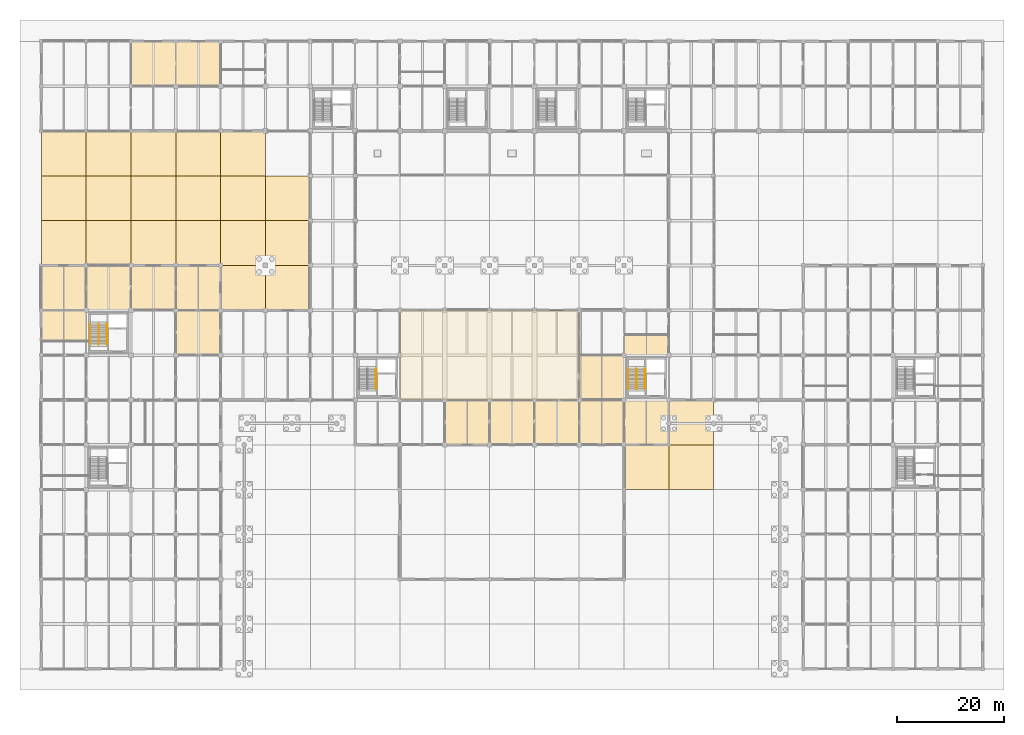
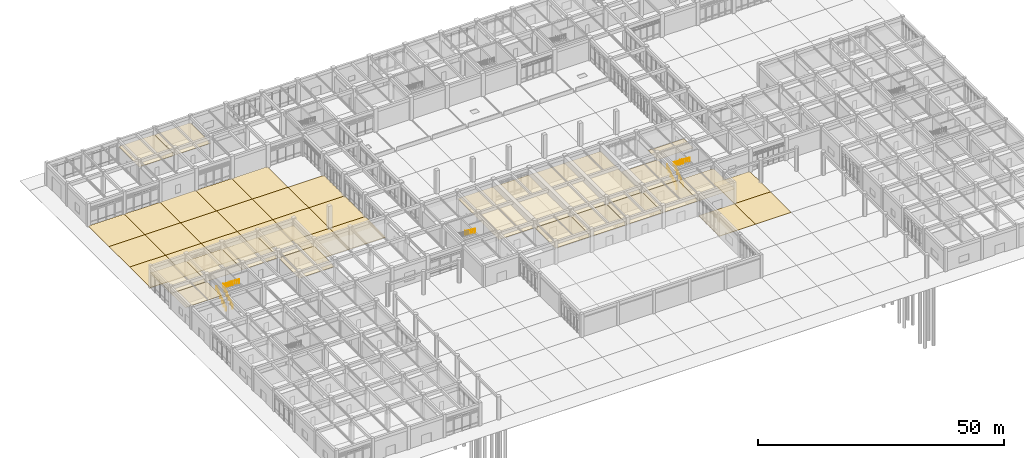
# One storey, part 87 of 91: 38 coverings, 9 railings.
"""IFC4 building model written with IfcOpenShell, lengths in metres."""

from ifc_helpers import new_model, si_unit, direction, frame, origin, origin_2d, place, context, subcontext, project, spatial, polyline, circle, outline, extrude, material, layer, layer_set, type_object, element, save


model = new_model("IFC4")

# Units and contexts
model_context = context("Model", 3, precision=1e-05, world=origin(), true_north=direction((0.0, 1.0)))
body_context = subcontext(model_context, "Body", "Model", "MODEL_VIEW")
ifc_project = project(units=[si_unit("LENGTHUNIT", "METRE"), si_unit("AREAUNIT", "SQUARE_METRE"), si_unit("VOLUMEUNIT", "CUBIC_METRE"), si_unit("PLANEANGLEUNIT", "RADIAN"), si_unit("MASSUNIT", "GRAM", prefix="KILO")], contexts=[model_context])

# Site, building, storey
site_placement = place(None, origin())
site = spatial("IfcSite", under=ifc_project, at=site_placement, CompositionType="ELEMENT")
building_placement = place(site_placement, origin())
building = spatial("IfcBuilding", under=site, at=building_placement, Name="Porcellanite Civic Hall", CompositionType="ELEMENT")
storey_placement = place(building_placement, origin())
storey = spatial("IfcBuildingStorey", under=building, at=storey_placement, Name="L00", CompositionType="ELEMENT", Elevation=0.0)

# Coverings
ifc_material_1 = material(Name="Perforated acoustic mineral-fibre and spotted-gum batten ceiling")
ifc_layer_1 = layer(ifc_material_1, 0.02490234375)
ifc_layer_set_1 = layer_set([ifc_layer_1], Name="Perforated acoustic mineral-fibre and spotted-gum batten ceiling")
covering_type_1 = type_object("IfcCoveringType", Name="COV-CL1", PredefinedType="CEILING", material=ifc_layer_set_1)
covering_1_placement = place(storey_placement, frame((0.0, 0.0, 3.635009765625)))
element("IfcCovering", 1, at=covering_1_placement, inside=storey, type_object=covering_type_1, Name="Acoustic ceiling Citizens Service Centre", PredefinedType="CEILING", context=body_context, shape_type="SweptSolid", body=[
    extrude(outline(polyline([(67.2099609375, 50.409912109375), (100.7900390625, 50.409912109375), (100.7900390625, 67.18994140625), (67.2099609375, 67.18994140625), (67.2099609375, 50.409912109375)])), origin(), (0.0, 0.0, 1.0), 0.02490234375),
])
ifc_material_2 = material(Name="Perforated acoustic mineral-fibre and spotted-gum batten ceiling")
ifc_layer_2 = layer(ifc_material_2, 0.044921875)
ifc_layer_set_2 = layer_set([ifc_layer_2], Name="Perforated acoustic mineral-fibre and spotted-gum batten ceiling")
covering_type_2 = type_object("IfcCoveringType", Name="COV-CL3", PredefinedType="CEILING", material=ifc_layer_set_2)
covering_2_placement = place(storey_placement, frame((0.0, 0.0, 3.614990234375)))
element("IfcCovering", 2, at=covering_2_placement, inside=storey, type_object=covering_type_2, Name="Acoustic ceiling Service Centre Consultation Room L00-A", PredefinedType="CEILING", context=body_context, shape_type="SweptSolid", body=[
    extrude(outline(polyline([(109.2099609375, 58.81005859375), (117.590087890625, 58.81005859375), (117.590087890625, 62.590087890625), (109.2099609375, 62.590087890625), (109.2099609375, 58.81005859375)])), origin(), (0.0, 0.0, 1.0), 0.044921875),
])
covering_3_placement = place(storey_placement, frame((0.0, 0.0, 3.614990234375)))
element("IfcCovering", 3, at=covering_3_placement, inside=storey, type_object=covering_type_2, Name="Acoustic ceiling Public Hearing Room L00-06", PredefinedType="CEILING", context=body_context, shape_type="SweptSolid", body=[
    extrude(outline(polyline([(0.010009765625, 61.387939453125), (8.389892578125, 61.387939453125), (8.389892578125, 67.18994140625), (0.010009765625, 67.18994140625), (0.010009765625, 61.387939453125)])), origin(), (0.0, 0.0, 1.0), 0.044921875),
])
covering_4_placement = place(storey_placement, frame((0.0, 0.0, 3.614990234375)))
element("IfcCovering", 4, at=covering_4_placement, inside=storey, type_object=covering_type_2, Name="Acoustic ceiling Civic Advisory Suite L00-07", PredefinedType="CEILING", context=body_context, shape_type="SweptSolid", body=[
    extrude(outline(polyline([(0.010009765625, 67.2099609375), (8.389892578125, 67.2099609375), (8.389892578125, 75.590087890625), (0.010009765625, 75.590087890625), (0.010009765625, 67.2099609375)])), origin(), (0.0, 0.0, 1.0), 0.044921875),
])
covering_5_placement = place(storey_placement, frame((0.0, 0.0, 3.614990234375)))
element("IfcCovering", 5, at=covering_5_placement, inside=storey, type_object=covering_type_2, Name="Acoustic ceiling Civic Advisory Suite L00-12", PredefinedType="CEILING", context=body_context, shape_type="SweptSolid", body=[
    extrude(outline(polyline([(8.409912109375, 67.2099609375), (16.7900390625, 67.2099609375), (16.7900390625, 75.590087890625), (8.409912109375, 75.590087890625), (8.409912109375, 67.2099609375)])), origin(), (0.0, 0.0, 1.0), 0.044921875),
])
covering_6_placement = place(storey_placement, frame((0.0, 0.0, 3.614990234375)))
element("IfcCovering", 6, at=covering_6_placement, inside=storey, type_object=covering_type_2, Name="Acoustic ceiling Community Seminar Room L00-18", PredefinedType="CEILING", context=body_context, shape_type="SweptSolid", body=[
    extrude(outline(polyline([(16.81005859375, 67.2099609375), (25.18994140625, 67.2099609375), (25.18994140625, 75.590087890625), (16.81005859375, 75.590087890625), (16.81005859375, 67.2099609375)])), origin(), (0.0, 0.0, 1.0), 0.044921875),
])
covering_7_placement = place(storey_placement, frame((0.0, 0.0, 3.614990234375)))
element("IfcCovering", 7, at=covering_7_placement, inside=storey, type_object=covering_type_2, Name="Acoustic ceiling City Ranger Operations L00-20", PredefinedType="CEILING", context=body_context, shape_type="SweptSolid", body=[
    extrude(outline(polyline([(16.81005859375, 109.2099609375), (25.18994140625, 109.2099609375), (25.18994140625, 117.590087890625), (16.81005859375, 117.590087890625), (16.81005859375, 109.2099609375)])), origin(), (0.0, 0.0, 1.0), 0.044921875),
])
covering_8_placement = place(storey_placement, frame((0.0, 0.0, 3.614990234375)))
element("IfcCovering", 8, at=covering_8_placement, inside=storey, type_object=covering_type_2, Name="Acoustic ceiling Committee Room L00-28", PredefinedType="CEILING", context=body_context, shape_type="SweptSolid", body=[
    extrude(outline(polyline([(25.2099609375, 58.81005859375), (33.590087890625, 58.81005859375), (33.590087890625, 67.18994140625), (25.2099609375, 67.18994140625), (25.2099609375, 58.81005859375)])), origin(), (0.0, 0.0, 1.0), 0.044921875),
])
covering_9_placement = place(storey_placement, frame((0.0, 0.0, 3.614990234375)))
element("IfcCovering", 9, at=covering_9_placement, inside=storey, type_object=covering_type_2, Name="Acoustic ceiling Community Seminar Room L00-29", PredefinedType="CEILING", context=body_context, shape_type="SweptSolid", body=[
    extrude(outline(polyline([(25.2099609375, 67.2099609375), (33.590087890625, 67.2099609375), (33.590087890625, 75.590087890625), (25.2099609375, 75.590087890625), (25.2099609375, 67.2099609375)])), origin(), (0.0, 0.0, 1.0), 0.044921875),
])
covering_10_placement = place(storey_placement, frame((0.0, 0.0, 3.614990234375)))
element("IfcCovering", 10, at=covering_10_placement, inside=storey, type_object=covering_type_2, Name="Acoustic ceiling Community Grants Office L00-31", PredefinedType="CEILING", context=body_context, shape_type="SweptSolid", body=[
    extrude(outline(polyline([(25.2099609375, 109.2099609375), (33.590087890625, 109.2099609375), (33.590087890625, 117.590087890625), (25.2099609375, 117.590087890625), (25.2099609375, 109.2099609375)])), origin(), (0.0, 0.0, 1.0), 0.044921875),
])
covering_11_placement = place(storey_placement, frame((0.0, 0.0, 3.614990234375)))
element("IfcCovering", 11, at=covering_11_placement, inside=storey, type_object=covering_type_2, Name="Acoustic ceiling Rates and Permits Counter L00-48", PredefinedType="CEILING", context=body_context, shape_type="SweptSolid", body=[
    extrude(outline(polyline([(75.610107421875, 42.010009765625), (83.989990234375, 42.010009765625), (83.989990234375, 50.389892578125), (75.610107421875, 50.389892578125), (75.610107421875, 42.010009765625)])), origin(), (0.0, 0.0, 1.0), 0.044921875),
])
covering_12_placement = place(storey_placement, frame((0.0, 0.0, 3.614990234375)))
element("IfcCovering", 12, at=covering_12_placement, inside=storey, type_object=covering_type_2, Name="Acoustic ceiling Rates and Permits Counter L00-50", PredefinedType="CEILING", context=body_context, shape_type="SweptSolid", body=[
    extrude(outline(polyline([(84.010009765625, 42.010009765625), (92.389892578125, 42.010009765625), (92.389892578125, 50.389892578125), (84.010009765625, 50.389892578125), (84.010009765625, 42.010009765625)])), origin(), (0.0, 0.0, 1.0), 0.044921875),
])
covering_13_placement = place(storey_placement, frame((0.0, 0.0, 3.614990234375)))
element("IfcCovering", 13, at=covering_13_placement, inside=storey, type_object=covering_type_2, Name="Acoustic ceiling Civic Outreach Office L00-53", PredefinedType="CEILING", context=body_context, shape_type="SweptSolid", body=[
    extrude(outline(polyline([(92.409912109375, 42.010009765625), (100.7900390625, 42.010009765625), (100.7900390625, 50.389892578125), (92.409912109375, 50.389892578125), (92.409912109375, 42.010009765625)])), origin(), (0.0, 0.0, 1.0), 0.044921875),
])
covering_14_placement = place(storey_placement, frame((0.0, 0.0, 3.614990234375)))
element("IfcCovering", 14, at=covering_14_placement, inside=storey, type_object=covering_type_2, Name="Acoustic ceiling Civic Outreach Office L00-55", PredefinedType="CEILING", context=body_context, shape_type="SweptSolid", body=[
    extrude(outline(polyline([(100.81005859375, 42.010009765625), (109.18994140625, 42.010009765625), (109.18994140625, 50.389892578125), (100.81005859375, 50.389892578125), (100.81005859375, 42.010009765625)])), origin(), (0.0, 0.0, 1.0), 0.044921875),
])
covering_15_placement = place(storey_placement, frame((0.0, 0.0, 3.614990234375)))
element("IfcCovering", 15, at=covering_15_placement, inside=storey, type_object=covering_type_2, Name="Acoustic ceiling Rates and Permits Counter L00-56", PredefinedType="CEILING", context=body_context, shape_type="SweptSolid", body=[
    extrude(outline(polyline([(100.81005859375, 50.409912109375), (109.18994140625, 50.409912109375), (109.18994140625, 58.7900390625), (100.81005859375, 58.7900390625), (100.81005859375, 50.409912109375)])), origin(), (0.0, 0.0, 1.0), 0.044921875),
])
covering_16_placement = place(storey_placement, frame((0.0, 0.0, 3.614990234375)))
element("IfcCovering", 16, at=covering_16_placement, inside=storey, type_object=covering_type_2, Name="Acoustic ceiling Civic Outreach Office L00-60", PredefinedType="CEILING", context=body_context, shape_type="SweptSolid", body=[
    extrude(outline(polyline([(109.2099609375, 42.010009765625), (117.590087890625, 42.010009765625), (117.590087890625, 50.389892578125), (109.2099609375, 50.389892578125), (109.2099609375, 42.010009765625)])), origin(), (0.0, 0.0, 1.0), 0.044921875),
])
ifc_material_3 = material(Name="Darwin porcellanite stone paving", Category="masonry")
ifc_layer_3 = layer(ifc_material_3, 0.10009765625)
ifc_layer_set_3 = layer_set([ifc_layer_3], Name="Darwin porcellanite stone paving")
covering_type_3 = type_object("IfcCoveringType", Name="COV-PAV100", PredefinedType="USERDEFINED", material=ifc_layer_set_3)
covering_17_placement = place(storey_placement, frame((0.0, 0.0, -0.10009765625)))
element("IfcCovering", 17, at=covering_17_placement, inside=storey, type_object=covering_type_3, Name="Porcellanite Square paving 1-10", ObjectType="PAVING", PredefinedType="USERDEFINED", context=body_context, shape_type="SweptSolid", body=[
    extrude(outline(polyline([(0.0, 75.60009765625), (8.39990234375, 75.60009765625), (8.39990234375, 84.0), (0.0, 84.0), (0.0, 75.60009765625)])), origin(), (0.0, 0.0, 1.0), 0.10009765625),
])
covering_18_placement = place(storey_placement, frame((0.0, 0.0, -0.10009765625)))
element("IfcCovering", 18, at=covering_18_placement, inside=storey, type_object=covering_type_3, Name="Porcellanite Square paving 1-11", ObjectType="PAVING", PredefinedType="USERDEFINED", context=body_context, shape_type="SweptSolid", body=[
    extrude(outline(polyline([(0.0, 84.0), (8.39990234375, 84.0), (8.39990234375, 92.39990234375), (0.0, 92.39990234375), (0.0, 84.0)])), origin(), (0.0, 0.0, 1.0), 0.10009765625),
])
covering_19_placement = place(storey_placement, frame((0.0, 0.0, -0.10009765625)))
element("IfcCovering", 19, at=covering_19_placement, inside=storey, type_object=covering_type_3, Name="Porcellanite Square paving 1-12", ObjectType="PAVING", PredefinedType="USERDEFINED", context=body_context, shape_type="SweptSolid", body=[
    extrude(outline(polyline([(0.0, 92.39990234375), (8.39990234375, 92.39990234375), (8.39990234375, 100.800048828125), (0.0, 100.800048828125), (0.0, 92.39990234375)])), origin(), (0.0, 0.0, 1.0), 0.10009765625),
])
covering_20_placement = place(storey_placement, frame((0.0, 0.0, -0.10009765625)))
element("IfcCovering", 20, at=covering_20_placement, inside=storey, type_object=covering_type_3, Name="Porcellanite Square paving 2-10", ObjectType="PAVING", PredefinedType="USERDEFINED", context=body_context, shape_type="SweptSolid", body=[
    extrude(outline(polyline([(8.39990234375, 75.60009765625), (16.800048828125, 75.60009765625), (16.800048828125, 84.0), (8.39990234375, 84.0), (8.39990234375, 75.60009765625)])), origin(), (0.0, 0.0, 1.0), 0.10009765625),
])
covering_21_placement = place(storey_placement, frame((0.0, 0.0, -0.10009765625)))
element("IfcCovering", 21, at=covering_21_placement, inside=storey, type_object=covering_type_3, Name="Porcellanite Square paving 2-11", ObjectType="PAVING", PredefinedType="USERDEFINED", context=body_context, shape_type="SweptSolid", body=[
    extrude(outline(polyline([(8.39990234375, 84.0), (16.800048828125, 84.0), (16.800048828125, 92.39990234375), (8.39990234375, 92.39990234375), (8.39990234375, 84.0)])), origin(), (0.0, 0.0, 1.0), 0.10009765625),
])
covering_22_placement = place(storey_placement, frame((0.0, 0.0, -0.10009765625)))
element("IfcCovering", 22, at=covering_22_placement, inside=storey, type_object=covering_type_3, Name="Porcellanite Square paving 2-12", ObjectType="PAVING", PredefinedType="USERDEFINED", context=body_context, shape_type="SweptSolid", body=[
    extrude(outline(polyline([(8.39990234375, 92.39990234375), (16.800048828125, 92.39990234375), (16.800048828125, 100.800048828125), (8.39990234375, 100.800048828125), (8.39990234375, 92.39990234375)])), origin(), (0.0, 0.0, 1.0), 0.10009765625),
])
covering_23_placement = place(storey_placement, frame((0.0, 0.0, -0.10009765625)))
element("IfcCovering", 23, at=covering_23_placement, inside=storey, type_object=covering_type_3, Name="Porcellanite Square paving 3-10", ObjectType="PAVING", PredefinedType="USERDEFINED", context=body_context, shape_type="SweptSolid", body=[
    extrude(outline(polyline([(16.800048828125, 75.60009765625), (25.199951171875, 75.60009765625), (25.199951171875, 84.0), (16.800048828125, 84.0), (16.800048828125, 75.60009765625)])), origin(), (0.0, 0.0, 1.0), 0.10009765625),
])
covering_24_placement = place(storey_placement, frame((0.0, 0.0, -0.10009765625)))
element("IfcCovering", 24, at=covering_24_placement, inside=storey, type_object=covering_type_3, Name="Porcellanite Square paving 3-11", ObjectType="PAVING", PredefinedType="USERDEFINED", context=body_context, shape_type="SweptSolid", body=[
    extrude(outline(polyline([(16.800048828125, 84.0), (25.199951171875, 84.0), (25.199951171875, 92.39990234375), (16.800048828125, 92.39990234375), (16.800048828125, 84.0)])), origin(), (0.0, 0.0, 1.0), 0.10009765625),
])
covering_25_placement = place(storey_placement, frame((0.0, 0.0, -0.10009765625)))
element("IfcCovering", 25, at=covering_25_placement, inside=storey, type_object=covering_type_3, Name="Porcellanite Square paving 3-12", ObjectType="PAVING", PredefinedType="USERDEFINED", context=body_context, shape_type="SweptSolid", body=[
    extrude(outline(polyline([(16.800048828125, 92.39990234375), (25.199951171875, 92.39990234375), (25.199951171875, 100.800048828125), (16.800048828125, 100.800048828125), (16.800048828125, 92.39990234375)])), origin(), (0.0, 0.0, 1.0), 0.10009765625),
])
covering_26_placement = place(storey_placement, frame((0.0, 0.0, -0.10009765625)))
element("IfcCovering", 26, at=covering_26_placement, inside=storey, type_object=covering_type_3, Name="Porcellanite Square paving 4-10", ObjectType="PAVING", PredefinedType="USERDEFINED", context=body_context, shape_type="SweptSolid", body=[
    extrude(outline(polyline([(25.199951171875, 75.60009765625), (33.60009765625, 75.60009765625), (33.60009765625, 84.0), (25.199951171875, 84.0), (25.199951171875, 75.60009765625)])), origin(), (0.0, 0.0, 1.0), 0.10009765625),
])
covering_27_placement = place(storey_placement, frame((0.0, 0.0, -0.10009765625)))
element("IfcCovering", 27, at=covering_27_placement, inside=storey, type_object=covering_type_3, Name="Porcellanite Square paving 4-11", ObjectType="PAVING", PredefinedType="USERDEFINED", context=body_context, shape_type="SweptSolid", body=[
    extrude(outline(polyline([(25.199951171875, 84.0), (33.60009765625, 84.0), (33.60009765625, 92.39990234375), (25.199951171875, 92.39990234375), (25.199951171875, 84.0)])), origin(), (0.0, 0.0, 1.0), 0.10009765625),
])
covering_28_placement = place(storey_placement, frame((0.0, 0.0, -0.10009765625)))
element("IfcCovering", 28, at=covering_28_placement, inside=storey, type_object=covering_type_3, Name="Porcellanite Square paving 4-12", ObjectType="PAVING", PredefinedType="USERDEFINED", context=body_context, shape_type="SweptSolid", body=[
    extrude(outline(polyline([(25.199951171875, 92.39990234375), (33.60009765625, 92.39990234375), (33.60009765625, 100.800048828125), (25.199951171875, 100.800048828125), (25.199951171875, 92.39990234375)])), origin(), (0.0, 0.0, 1.0), 0.10009765625),
])
covering_29_placement = place(storey_placement, frame((0.0, 0.0, -0.10009765625)))
element("IfcCovering", 29, at=covering_29_placement, inside=storey, type_object=covering_type_3, Name="Porcellanite Square paving 5-9", ObjectType="PAVING", PredefinedType="USERDEFINED", context=body_context, shape_type="SweptSolid", body=[
    extrude(outline(polyline([(33.60009765625, 67.199951171875), (42.0, 67.199951171875), (42.0, 75.60009765625), (33.60009765625, 75.60009765625), (33.60009765625, 67.199951171875)])), origin(), (0.0, 0.0, 1.0), 0.10009765625),
])
covering_30_placement = place(storey_placement, frame((0.0, 0.0, -0.10009765625)))
element("IfcCovering", 30, at=covering_30_placement, inside=storey, type_object=covering_type_3, Name="Porcellanite Square paving 5-10", ObjectType="PAVING", PredefinedType="USERDEFINED", context=body_context, shape_type="SweptSolid", body=[
    extrude(outline(polyline([(33.60009765625, 75.60009765625), (42.0, 75.60009765625), (42.0, 84.0), (33.60009765625, 84.0), (33.60009765625, 75.60009765625)])), origin(), (0.0, 0.0, 1.0), 0.10009765625),
])
covering_31_placement = place(storey_placement, frame((0.0, 0.0, -0.10009765625)))
element("IfcCovering", 31, at=covering_31_placement, inside=storey, type_object=covering_type_3, Name="Porcellanite Square paving 5-11", ObjectType="PAVING", PredefinedType="USERDEFINED", context=body_context, shape_type="SweptSolid", body=[
    extrude(outline(polyline([(33.60009765625, 84.0), (42.0, 84.0), (42.0, 92.39990234375), (33.60009765625, 92.39990234375), (33.60009765625, 84.0)])), origin(), (0.0, 0.0, 1.0), 0.10009765625),
])
covering_32_placement = place(storey_placement, frame((0.0, 0.0, -0.10009765625)))
element("IfcCovering", 32, at=covering_32_placement, inside=storey, type_object=covering_type_3, Name="Porcellanite Square paving 5-12", ObjectType="PAVING", PredefinedType="USERDEFINED", context=body_context, shape_type="SweptSolid", body=[
    extrude(outline(polyline([(33.60009765625, 92.39990234375), (42.0, 92.39990234375), (42.0, 100.800048828125), (33.60009765625, 100.800048828125), (33.60009765625, 92.39990234375)])), origin(), (0.0, 0.0, 1.0), 0.10009765625),
])
covering_33_placement = place(storey_placement, frame((0.0, 0.0, -0.10009765625)))
element("IfcCovering", 33, at=covering_33_placement, inside=storey, type_object=covering_type_3, Name="Porcellanite Square paving 6-9", ObjectType="PAVING", PredefinedType="USERDEFINED", context=body_context, shape_type="SweptSolid", body=[
    extrude(outline(polyline([(42.0, 67.199951171875), (50.39990234375, 67.199951171875), (50.39990234375, 75.60009765625), (42.0, 75.60009765625), (42.0, 67.199951171875)])), origin(), (0.0, 0.0, 1.0), 0.10009765625),
])
covering_34_placement = place(storey_placement, frame((0.0, 0.0, -0.10009765625)))
element("IfcCovering", 34, at=covering_34_placement, inside=storey, type_object=covering_type_3, Name="Porcellanite Square paving 6-10", ObjectType="PAVING", PredefinedType="USERDEFINED", context=body_context, shape_type="SweptSolid", body=[
    extrude(outline(polyline([(42.0, 75.60009765625), (50.39990234375, 75.60009765625), (50.39990234375, 84.0), (42.0, 84.0), (42.0, 75.60009765625)])), origin(), (0.0, 0.0, 1.0), 0.10009765625),
])
covering_35_placement = place(storey_placement, frame((0.0, 0.0, -0.10009765625)))
element("IfcCovering", 35, at=covering_35_placement, inside=storey, type_object=covering_type_3, Name="Porcellanite Square paving 6-11", ObjectType="PAVING", PredefinedType="USERDEFINED", context=body_context, shape_type="SweptSolid", body=[
    extrude(outline(polyline([(42.0, 84.0), (50.39990234375, 84.0), (50.39990234375, 92.39990234375), (42.0, 92.39990234375), (42.0, 84.0)])), origin(), (0.0, 0.0, 1.0), 0.10009765625),
])
covering_36_placement = place(storey_placement, frame((0.0, 0.0, -0.10009765625)))
element("IfcCovering", 36, at=covering_36_placement, inside=storey, type_object=covering_type_3, Name="Porcellanite Square paving 14-5", ObjectType="PAVING", PredefinedType="USERDEFINED", context=body_context, shape_type="SweptSolid", body=[
    extrude(outline(polyline([(109.199951171875, 33.60009765625), (117.60009765625, 33.60009765625), (117.60009765625, 42.0), (109.199951171875, 42.0), (109.199951171875, 33.60009765625)])), origin(), (0.0, 0.0, 1.0), 0.10009765625),
])
covering_37_placement = place(storey_placement, frame((0.0, 0.0, -0.10009765625)))
element("IfcCovering", 37, at=covering_37_placement, inside=storey, type_object=covering_type_3, Name="Porcellanite Square paving 15-5", ObjectType="PAVING", PredefinedType="USERDEFINED", context=body_context, shape_type="SweptSolid", body=[
    extrude(outline(polyline([(117.60009765625, 33.60009765625), (126.0, 33.60009765625), (126.0, 42.0), (117.60009765625, 42.0), (117.60009765625, 33.60009765625)])), origin(), (0.0, 0.0, 1.0), 0.10009765625),
])
covering_38_placement = place(storey_placement, frame((0.0, 0.0, -0.10009765625)))
element("IfcCovering", 38, at=covering_38_placement, inside=storey, type_object=covering_type_3, Name="Porcellanite Square paving 15-6", ObjectType="PAVING", PredefinedType="USERDEFINED", context=body_context, shape_type="SweptSolid", body=[
    extrude(outline(polyline([(117.60009765625, 42.0), (126.0, 42.0), (126.0, 50.39990234375), (117.60009765625, 50.39990234375), (117.60009765625, 42.0)])), origin(), (0.0, 0.0, 1.0), 0.10009765625),
])

# Railings
ifc_material_4 = material(Name="Brushed stainless steel 316", Category="steel")
railing_type_1 = type_object("IfcRailingType", Name="RL-HR920", PredefinedType="HANDRAIL", material=ifc_material_4)
railing_1_placement = place(storey_placement, frame((9.18505859375, 60.800048828125, 0.0)))
element("IfcRailing", 39, at=railing_1_placement, inside=storey, type_object=railing_type_1, Name="Stair handrail ST-02 L00 1", PredefinedType="HANDRAIL", context=body_context, shape_type="SweptSolid", body=[
    extrude(circle(Radius=0.02197265625, at=origin_2d()), frame((0.0, 0.0, 0.89794921875), z_axis=(0.0, 0.798878840457, 0.601491976896), x_axis=(-1.0, 0.0, 0.0)), (0.0, 0.0, 1.0), 4.787841796875),
    extrude(circle(Radius=0.01904296875, at=origin_2d()), origin(), (0.0, 0.0, 1.0), 0.8759765625),
    extrude(circle(Radius=0.01904296875, at=origin_2d()), frame((0.0, 0.764892578125, 0.575927734375)), (0.0, 0.0, 1.0), 0.8759765625),
    extrude(circle(Radius=0.01904296875, at=origin_2d()), frame((0.0, 1.530029296875, 1.15185546875)), (0.0, 0.0, 1.0), 0.8759765625),
    extrude(circle(Radius=0.01904296875, at=origin_2d()), frame((0.0, 2.294921875, 1.72802734375)), (0.0, 0.0, 1.0), 0.8759765625),
    extrude(circle(Radius=0.01904296875, at=origin_2d()), frame((0.0, 3.06005859375, 2.303955078125)), (0.0, 0.0, 1.0), 0.8759765625),
    extrude(circle(Radius=0.01904296875, at=origin_2d()), frame((0.0, 3.824951171875, 2.8798828125)), (0.0, 0.0, 1.0), 0.8759765625),
])
railing_2_placement = place(storey_placement, frame((10.764892578125, 64.625, 2.8798828125)))
element("IfcRailing", 40, at=railing_2_placement, inside=storey, type_object=railing_type_1, Name="Stair handrail ST-02 L00 3", PredefinedType="HANDRAIL", context=body_context, shape_type="SweptSolid", body=[
    extrude(circle(Radius=0.02197265625, at=origin_2d()), frame((0.0, 0.0, 0.89794921875), z_axis=(0.0, -0.798854338303, 0.601524518348), x_axis=(1.0, 0.0, 0.0)), (0.0, 0.0, 1.0), 4.7880859375),
    extrude(circle(Radius=0.01904296875, at=origin_2d()), origin(), (0.0, 0.0, 1.0), 0.8759765625),
    extrude(circle(Radius=0.01904296875, at=origin_2d()), frame((0.0, -0.764892578125, 0.575927734375)), (0.0, 0.0, 1.0), 0.8759765625),
    extrude(circle(Radius=0.01904296875, at=origin_2d()), frame((0.0, -1.530029296875, 1.152099609375)), (0.0, 0.0, 1.0), 0.8759765625),
    extrude(circle(Radius=0.01904296875, at=origin_2d()), frame((0.0, -2.294921875, 1.72802734375)), (0.0, 0.0, 1.0), 0.8759765625),
    extrude(circle(Radius=0.01904296875, at=origin_2d()), frame((0.0, -3.06005859375, 2.30419921875)), (0.0, 0.0, 1.0), 0.8759765625),
    extrude(circle(Radius=0.01904296875, at=origin_2d()), frame((0.0, -3.824951171875, 2.880126953125)), (0.0, 0.0, 1.0), 0.8759765625),
])
railing_3_placement = place(storey_placement, frame((109.985107421875, 52.39990234375, 0.0)))
element("IfcRailing", 41, at=railing_3_placement, inside=storey, type_object=railing_type_1, Name="Stair handrail ST-06 L00 1", PredefinedType="HANDRAIL", context=body_context, shape_type="SweptSolid", body=[
    extrude(circle(Radius=0.02197265625, at=origin_2d()), frame((0.0, 0.0, 0.89794921875), z_axis=(0.0, 0.798897287562, 0.601467475369), x_axis=(-1.0, 0.0, 0.0)), (0.0, 0.0, 1.0), 4.7880859375),
    extrude(circle(Radius=0.01904296875, at=origin_2d()), origin(), (0.0, 0.0, 1.0), 0.8759765625),
    extrude(circle(Radius=0.01904296875, at=origin_2d()), frame((0.0, 0.76513671875, 0.575927734375)), (0.0, 0.0, 1.0), 0.8759765625),
    extrude(circle(Radius=0.01904296875, at=origin_2d()), frame((0.0, 1.530029296875, 1.15185546875)), (0.0, 0.0, 1.0), 0.8759765625),
    extrude(circle(Radius=0.01904296875, at=origin_2d()), frame((0.0, 2.295166015625, 1.72802734375)), (0.0, 0.0, 1.0), 0.8759765625),
    extrude(circle(Radius=0.01904296875, at=origin_2d()), frame((0.0, 3.06005859375, 2.303955078125)), (0.0, 0.0, 1.0), 0.8759765625),
    extrude(circle(Radius=0.01904296875, at=origin_2d()), frame((0.0, 3.8251953125, 2.8798828125)), (0.0, 0.0, 1.0), 0.8759765625),
])
railing_4_placement = place(storey_placement, frame((111.56494140625, 56.22509765625, 2.8798828125)))
element("IfcRailing", 42, at=railing_4_placement, inside=storey, type_object=railing_type_1, Name="Stair handrail ST-06 L00 3", PredefinedType="HANDRAIL", context=body_context, shape_type="SweptSolid", body=[
    extrude(circle(Radius=0.02197265625, at=origin_2d()), frame((0.0, 0.0, 0.89794921875), z_axis=(0.0, -0.798872786838, 0.601500016998), x_axis=(1.0, 0.0, 0.0)), (0.0, 0.0, 1.0), 4.788330078125),
    extrude(circle(Radius=0.01904296875, at=origin_2d()), origin(), (0.0, 0.0, 1.0), 0.8759765625),
    extrude(circle(Radius=0.01904296875, at=origin_2d()), frame((0.0, -0.76513671875, 0.575927734375)), (0.0, 0.0, 1.0), 0.8759765625),
    extrude(circle(Radius=0.01904296875, at=origin_2d()), frame((0.0, -1.530029296875, 1.152099609375)), (0.0, 0.0, 1.0), 0.8759765625),
    extrude(circle(Radius=0.01904296875, at=origin_2d()), frame((0.0, -2.295166015625, 1.72802734375)), (0.0, 0.0, 1.0), 0.8759765625),
    extrude(circle(Radius=0.01904296875, at=origin_2d()), frame((0.0, -3.06005859375, 2.30419921875)), (0.0, 0.0, 1.0), 0.8759765625),
    extrude(circle(Radius=0.01904296875, at=origin_2d()), frame((0.0, -3.8251953125, 2.880126953125)), (0.0, 0.0, 1.0), 0.8759765625),
])
ifc_material_5 = material(Name="Brushed stainless steel 316", Category="steel")
railing_type_2 = type_object("IfcRailingType", Name="RL-HR950", PredefinedType="HANDRAIL", material=ifc_material_5)
railing_5_placement = place(storey_placement, frame((10.735107421875, 60.800048828125, 0.0)))
element("IfcRailing", 43, at=railing_5_placement, inside=storey, type_object=railing_type_2, Name="Stair handrail ST-02 L00 2", PredefinedType="HANDRAIL", context=body_context, shape_type="SweptSolid", body=[
    extrude(circle(Radius=0.02197265625, at=origin_2d()), frame((0.0, 0.0, 0.927978515625), z_axis=(0.0, 0.798878840457, 0.601491976896), x_axis=(-1.0, 0.0, 0.0)), (0.0, 0.0, 1.0), 4.787841796875),
    extrude(circle(Radius=0.01904296875, at=origin_2d()), origin(), (0.0, 0.0, 1.0), 0.906005859375),
    extrude(circle(Radius=0.01904296875, at=origin_2d()), frame((0.0, 0.764892578125, 0.575927734375)), (0.0, 0.0, 1.0), 0.906005859375),
    extrude(circle(Radius=0.01904296875, at=origin_2d()), frame((0.0, 1.530029296875, 1.15185546875)), (0.0, 0.0, 1.0), 0.906005859375),
    extrude(circle(Radius=0.01904296875, at=origin_2d()), frame((0.0, 2.294921875, 1.72802734375)), (0.0, 0.0, 1.0), 0.906005859375),
    extrude(circle(Radius=0.01904296875, at=origin_2d()), frame((0.0, 3.06005859375, 2.303955078125)), (0.0, 0.0, 1.0), 0.906005859375),
    extrude(circle(Radius=0.01904296875, at=origin_2d()), frame((0.0, 3.824951171875, 2.8798828125)), (0.0, 0.0, 1.0), 0.906005859375),
])
railing_6_placement = place(storey_placement, frame((12.31494140625, 64.625, 2.8798828125)))
element("IfcRailing", 44, at=railing_6_placement, inside=storey, type_object=railing_type_2, Name="Stair handrail ST-02 L00 4", PredefinedType="HANDRAIL", context=body_context, shape_type="SweptSolid", body=[
    extrude(circle(Radius=0.02197265625, at=origin_2d()), frame((0.0, 0.0, 0.927978515625), z_axis=(0.0, -0.798854338303, 0.601524518348), x_axis=(1.0, 0.0, 0.0)), (0.0, 0.0, 1.0), 4.7880859375),
    extrude(circle(Radius=0.01904296875, at=origin_2d()), origin(), (0.0, 0.0, 1.0), 0.906005859375),
    extrude(circle(Radius=0.01904296875, at=origin_2d()), frame((0.0, -0.764892578125, 0.575927734375)), (0.0, 0.0, 1.0), 0.906005859375),
    extrude(circle(Radius=0.01904296875, at=origin_2d()), frame((0.0, -1.530029296875, 1.152099609375)), (0.0, 0.0, 1.0), 0.906005859375),
    extrude(circle(Radius=0.01904296875, at=origin_2d()), frame((0.0, -2.294921875, 1.72802734375)), (0.0, 0.0, 1.0), 0.906005859375),
    extrude(circle(Radius=0.01904296875, at=origin_2d()), frame((0.0, -3.06005859375, 2.30419921875)), (0.0, 0.0, 1.0), 0.906005859375),
    extrude(circle(Radius=0.01904296875, at=origin_2d()), frame((0.0, -3.824951171875, 2.880126953125)), (0.0, 0.0, 1.0), 0.906005859375),
])
railing_7_placement = place(storey_placement, frame((62.715087890625, 56.22509765625, 2.8798828125)))
element("IfcRailing", 45, at=railing_7_placement, inside=storey, type_object=railing_type_2, Name="Stair handrail ST-05 L00 4", PredefinedType="HANDRAIL", context=body_context, shape_type="SweptSolid", body=[
    extrude(circle(Radius=0.02197265625, at=origin_2d()), frame((0.0, 0.0, 0.927978515625), z_axis=(0.0, -0.798872786838, 0.601500016998), x_axis=(1.0, 0.0, 0.0)), (0.0, 0.0, 1.0), 4.788330078125),
    extrude(circle(Radius=0.01904296875, at=origin_2d()), origin(), (0.0, 0.0, 1.0), 0.906005859375),
    extrude(circle(Radius=0.01904296875, at=origin_2d()), frame((0.0, -0.76513671875, 0.575927734375)), (0.0, 0.0, 1.0), 0.906005859375),
    extrude(circle(Radius=0.01904296875, at=origin_2d()), frame((0.0, -1.530029296875, 1.152099609375)), (0.0, 0.0, 1.0), 0.906005859375),
    extrude(circle(Radius=0.01904296875, at=origin_2d()), frame((0.0, -2.295166015625, 1.72802734375)), (0.0, 0.0, 1.0), 0.906005859375),
    extrude(circle(Radius=0.01904296875, at=origin_2d()), frame((0.0, -3.06005859375, 2.30419921875)), (0.0, 0.0, 1.0), 0.906005859375),
    extrude(circle(Radius=0.01904296875, at=origin_2d()), frame((0.0, -3.8251953125, 2.880126953125)), (0.0, 0.0, 1.0), 0.906005859375),
])
railing_8_placement = place(storey_placement, frame((111.534912109375, 52.39990234375, 0.0)))
element("IfcRailing", 46, at=railing_8_placement, inside=storey, type_object=railing_type_2, Name="Stair handrail ST-06 L00 2", PredefinedType="HANDRAIL", context=body_context, shape_type="SweptSolid", body=[
    extrude(circle(Radius=0.02197265625, at=origin_2d()), frame((0.0, 0.0, 0.927978515625), z_axis=(0.0, 0.798897287562, 0.601467475369), x_axis=(-1.0, 0.0, 0.0)), (0.0, 0.0, 1.0), 4.7880859375),
    extrude(circle(Radius=0.01904296875, at=origin_2d()), origin(), (0.0, 0.0, 1.0), 0.906005859375),
    extrude(circle(Radius=0.01904296875, at=origin_2d()), frame((0.0, 0.76513671875, 0.575927734375)), (0.0, 0.0, 1.0), 0.906005859375),
    extrude(circle(Radius=0.01904296875, at=origin_2d()), frame((0.0, 1.530029296875, 1.15185546875)), (0.0, 0.0, 1.0), 0.906005859375),
    extrude(circle(Radius=0.01904296875, at=origin_2d()), frame((0.0, 2.295166015625, 1.72802734375)), (0.0, 0.0, 1.0), 0.906005859375),
    extrude(circle(Radius=0.01904296875, at=origin_2d()), frame((0.0, 3.06005859375, 2.303955078125)), (0.0, 0.0, 1.0), 0.906005859375),
    extrude(circle(Radius=0.01904296875, at=origin_2d()), frame((0.0, 3.8251953125, 2.8798828125)), (0.0, 0.0, 1.0), 0.906005859375),
])
railing_9_placement = place(storey_placement, frame((113.114990234375, 56.22509765625, 2.8798828125)))
element("IfcRailing", 47, at=railing_9_placement, inside=storey, type_object=railing_type_2, Name="Stair handrail ST-06 L00 4", PredefinedType="HANDRAIL", context=body_context, shape_type="SweptSolid", body=[
    extrude(circle(Radius=0.02197265625, at=origin_2d()), frame((0.0, 0.0, 0.927978515625), z_axis=(0.0, -0.798872786838, 0.601500016998), x_axis=(1.0, 0.0, 0.0)), (0.0, 0.0, 1.0), 4.788330078125),
    extrude(circle(Radius=0.01904296875, at=origin_2d()), origin(), (0.0, 0.0, 1.0), 0.906005859375),
    extrude(circle(Radius=0.01904296875, at=origin_2d()), frame((0.0, -0.76513671875, 0.575927734375)), (0.0, 0.0, 1.0), 0.906005859375),
    extrude(circle(Radius=0.01904296875, at=origin_2d()), frame((0.0, -1.530029296875, 1.152099609375)), (0.0, 0.0, 1.0), 0.906005859375),
    extrude(circle(Radius=0.01904296875, at=origin_2d()), frame((0.0, -2.295166015625, 1.72802734375)), (0.0, 0.0, 1.0), 0.906005859375),
    extrude(circle(Radius=0.01904296875, at=origin_2d()), frame((0.0, -3.06005859375, 2.30419921875)), (0.0, 0.0, 1.0), 0.906005859375),
    extrude(circle(Radius=0.01904296875, at=origin_2d()), frame((0.0, -3.8251953125, 2.880126953125)), (0.0, 0.0, 1.0), 0.906005859375),
])

save(model, "model.ifc")
